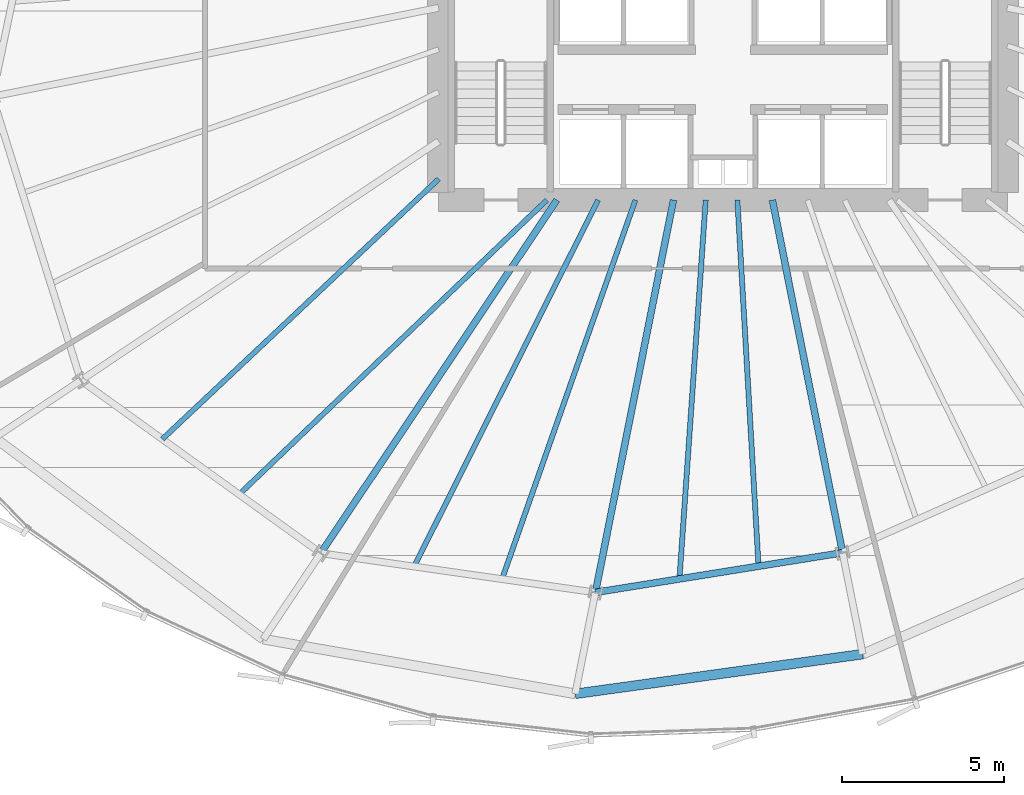
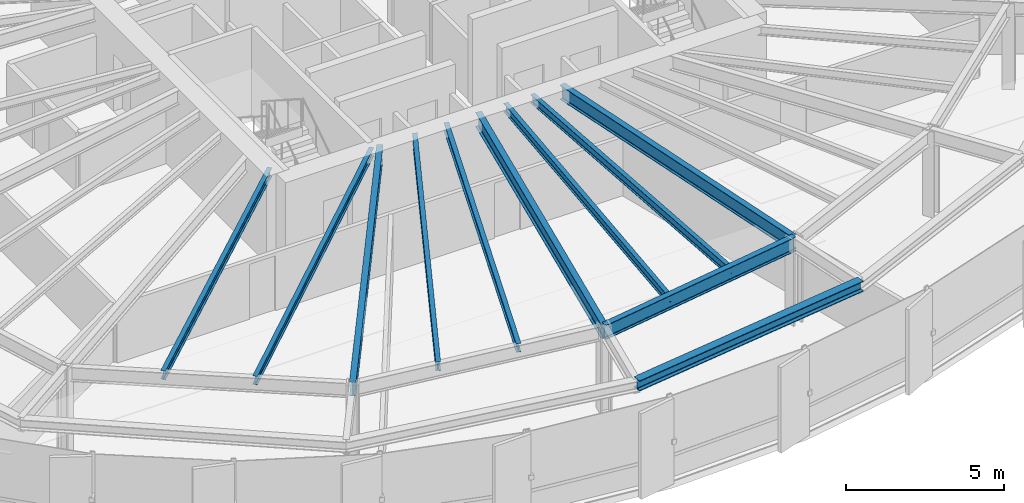
# One storey, part 6 of 35: 11 beams.
"""IFC4 building model written with IfcOpenShell, lengths in metres."""

from ifc_helpers import new_model, si_unit, direction, frame, origin, origin_2d, place, context, subcontext, project, spatial, i_section, extrude, source, transform, mapped, material, material_profile, profile_set, type_object, element, save


model = new_model("IFC4")

# Units and contexts
model_context = context("Model", 3, precision=1e-05, world=origin(), true_north=direction((0.0, 1.0)))
body_context = subcontext(model_context, "Body", "Model", "MODEL_VIEW")
ifc_project = project(units=[si_unit("LENGTHUNIT", "METRE"), si_unit("AREAUNIT", "SQUARE_METRE"), si_unit("VOLUMEUNIT", "CUBIC_METRE"), si_unit("PLANEANGLEUNIT", "RADIAN"), si_unit("MASSUNIT", "GRAM", prefix="KILO"), si_unit("THERMODYNAMICTEMPERATUREUNIT", "KELVIN")], contexts=[model_context])

# Site, building, storey
site_placement = place(None, origin())
site = spatial("IfcSite", under=ifc_project, at=site_placement, CompositionType="ELEMENT")
building_placement = place(site_placement, origin())
building = spatial("IfcBuilding", under=site, at=building_placement, Name="Kethvar Cultural Tower", CompositionType="ELEMENT")
storey_placement = place(building_placement, frame((0.0, 0.0, 92.800048828125)))
storey = spatial("IfcBuildingStorey", under=building, at=storey_placement, Name="L22", CompositionType="ELEMENT", Elevation=92.800048828125)

# Beams
ifc_material = material(Name="Steel S355J2", Category="steel")
ifc_material_profile_1 = material_profile(ifc_material, i_section(OverallWidth=0.2099609375, OverallDepth=0.550048828125, WebThickness=0.010986328125, FlangeThickness=0.01708984375, FilletRadius=0.02392578125, at=origin_2d()), Name="Steel S355J2 — IPE550")
ifc_profile_set_1 = profile_set([ifc_material_profile_1], Name="Steel S355J2 — IPE550")
beam_type_1 = type_object("IfcBeamType", Name="BM-IPE550", PredefinedType="BEAM", material=ifc_profile_set_1)
shared_shape_1 = source(origin(), body_context, "Body", "SweptSolid", [
    extrude(i_section(OverallWidth=0.2099609375, OverallDepth=0.550048828125, WebThickness=0.010986328125, FlangeThickness=0.01708984375, FilletRadius=0.02392578125, at=origin_2d()), origin(), (0.0, 0.0, 1.0), 13.147216796875),
])
beam_1_placement = place(storey_placement, frame((41.655029296875, 20.10009765625, 3.072998046875), z_axis=(-0.555565525446, -0.831472757783, 0.0), x_axis=(0.831472757783, -0.555565525446, 0.0)))
element("IfcBeam", 1, at=beam_1_placement, inside=storey, type_object=beam_type_1, Name="L22 Primary Radial Beam RB-11", PredefinedType="BEAM", context=body_context, shape_type="MappedRepresentation", body=[
    mapped(shared_shape_1, transform((0.0, 0.0, 0.0), scale=1.0)),
])
shared_shape_2 = source(origin(), body_context, "Body", "SweptSolid", [
    extrude(i_section(OverallWidth=0.2099609375, OverallDepth=0.550048828125, WebThickness=0.010986328125, FlangeThickness=0.01708984375, FilletRadius=0.02392578125, at=origin_2d()), origin(), (0.0, 0.0, 1.0), 12.384521484375),
])
beam_2_placement = place(storey_placement, frame((45.268310546875, 20.10009765625, 3.072998046875), z_axis=(-0.195084858678, -0.980786367113, 0.0), x_axis=(0.980786367113, -0.195084858678, 0.0)))
element("IfcBeam", 2, at=beam_2_placement, inside=storey, type_object=beam_type_1, Name="L22 Primary Radial Beam RB-12", PredefinedType="BEAM", context=body_context, shape_type="MappedRepresentation", body=[
    mapped(shared_shape_2, transform((0.0, 0.0, 0.0), scale=1.0)),
])
shared_shape_3 = source(origin(), body_context, "Body", "SweptSolid", [
    extrude(i_section(OverallWidth=0.2099609375, OverallDepth=0.550048828125, WebThickness=0.010986328125, FlangeThickness=0.01708984375, FilletRadius=0.02392578125, at=origin_2d()), origin(), (0.0, 0.0, 1.0), 11.131591796875),
])
beam_3_placement = place(storey_placement, frame((48.33154296875, 20.10009765625, 3.072998046875), z_axis=(0.195107998266, -0.980781764213, 0.0), x_axis=(0.980781764213, 0.195107998266, 0.0)))
element("IfcBeam", 3, at=beam_3_placement, inside=storey, type_object=beam_type_1, Name="L22 Primary Radial Beam RB-13", PredefinedType="BEAM", context=body_context, shape_type="MappedRepresentation", body=[
    mapped(shared_shape_3, transform((0.0, 0.0, 0.0), scale=1.0)),
])
ifc_material_profile_2 = material_profile(ifc_material, i_section(OverallWidth=0.159912109375, OverallDepth=0.330078125, WebThickness=0.007568359375, FlangeThickness=0.011474609375, FilletRadius=0.01806640625, at=origin_2d()), Name="Steel S355J2 — IPE330")
ifc_profile_set_2 = profile_set([ifc_material_profile_2], Name="Steel S355J2 — IPE330")
beam_type_2 = type_object("IfcBeamType", Name="BM-J330", PredefinedType="JOIST", material=ifc_profile_set_2)
shared_shape_4 = source(origin(), body_context, "Body", "SweptSolid", [
    extrude(i_section(OverallWidth=0.159912109375, OverallDepth=0.330078125, WebThickness=0.007568359375, FlangeThickness=0.011474609375, FilletRadius=0.01806640625, at=origin_2d()), origin(), (0.0, 0.0, 1.0), 11.74658203125),
])
beam_4_placement = place(storey_placement, frame((38.0, 20.75, 3.182861328125), z_axis=(-0.728129818661, -0.685439251266, 0.0), x_axis=(0.685439251266, -0.728129818661, 0.0)))
element("IfcBeam", 4, at=beam_4_placement, inside=storey, type_object=beam_type_2, Name="L22 Composite Floor Joist J-10A", PredefinedType="JOIST", context=body_context, shape_type="MappedRepresentation", body=[
    mapped(shared_shape_4, transform((0.0, 0.0, 0.0), scale=1.0)),
])
shared_shape_5 = source(origin(), body_context, "Body", "SweptSolid", [
    extrude(i_section(OverallWidth=0.159912109375, OverallDepth=0.330078125, WebThickness=0.007568359375, FlangeThickness=0.011474609375, FilletRadius=0.01806640625, at=origin_2d()), origin(), (0.0, 0.0, 1.0), 13.1826171875),
])
beam_5_placement = place(storey_placement, frame((41.35009765625, 20.10009765625, 3.182861328125), z_axis=(-0.722573880181, -0.691293705801, 0.0), x_axis=(0.691293705801, -0.722573880181, 0.0)))
element("IfcBeam", 5, at=beam_5_placement, inside=storey, type_object=beam_type_2, Name="L22 Composite Floor Joist J-10B", PredefinedType="JOIST", context=body_context, shape_type="MappedRepresentation", body=[
    mapped(shared_shape_5, transform((0.0, 0.0, 0.0), scale=1.0)),
])
shared_shape_6 = source(origin(), body_context, "Body", "SweptSolid", [
    extrude(i_section(OverallWidth=0.159912109375, OverallDepth=0.330078125, WebThickness=0.007568359375, FlangeThickness=0.011474609375, FilletRadius=0.01806640625, at=origin_2d()), origin(), (0.0, 0.0, 1.0), 12.693603515625),
])
beam_6_placement = place(storey_placement, frame((42.935302734375, 20.10009765625, 3.182861328125), z_axis=(-0.448582495233, -0.893741430712, 0.0), x_axis=(0.893741430712, -0.448582495233, 0.0)))
element("IfcBeam", 6, at=beam_6_placement, inside=storey, type_object=beam_type_2, Name="L22 Composite Floor Joist J-11A", PredefinedType="JOIST", context=body_context, shape_type="MappedRepresentation", body=[
    mapped(shared_shape_6, transform((0.0, 0.0, 0.0), scale=1.0)),
])
shared_shape_7 = source(origin(), body_context, "Body", "SweptSolid", [
    extrude(i_section(OverallWidth=0.159912109375, OverallDepth=0.330078125, WebThickness=0.007568359375, FlangeThickness=0.011474609375, FilletRadius=0.01806640625, at=origin_2d()), origin(), (0.0, 0.0, 1.0), 12.4384765625),
])
beam_7_placement = place(storey_placement, frame((44.090576171875, 20.10009765625, 3.182861328125), z_axis=(-0.331923676994, -0.943306245421, 0.0), x_axis=(0.943306245421, -0.331923676994, 0.0)))
element("IfcBeam", 7, at=beam_7_placement, inside=storey, type_object=beam_type_2, Name="L22 Composite Floor Joist J-11B", PredefinedType="JOIST", context=body_context, shape_type="MappedRepresentation", body=[
    mapped(shared_shape_7, transform((0.0, 0.0, 0.0), scale=1.0)),
])
shared_shape_8 = source(origin(), body_context, "Body", "SweptSolid", [
    extrude(i_section(OverallWidth=0.2099609375, OverallDepth=0.550048828125, WebThickness=0.010986328125, FlangeThickness=0.01708984375, FilletRadius=0.02392578125, at=origin_2d()), origin(), (0.0, 0.0, 1.0), 7.749267578125),
])
beam_8_placement = place(storey_placement, frame((42.852294921875, 7.95361328125, 3.072998046875), z_axis=(0.987348257569, 0.158566762831, 0.0), x_axis=(-0.158566762831, 0.987348257569, 0.0)))
element("IfcBeam", 8, at=beam_8_placement, inside=storey, type_object=beam_type_1, Name="L22 Column Ring Tie Beam CR-12", PredefinedType="BEAM", context=body_context, shape_type="MappedRepresentation", body=[
    mapped(shared_shape_8, transform((0.0, 0.0, 0.0), scale=1.0)),
])
ifc_material_profile_3 = material_profile(ifc_material, i_section(OverallWidth=0.300048828125, OverallDepth=0.39990234375, WebThickness=0.013427734375, FlangeThickness=0.02392578125, FilletRadius=0.027099609375, at=origin_2d()), Name="Steel S355J2 — HEB400")
ifc_profile_set_3 = profile_set([ifc_material_profile_3], Name="Steel S355J2 — HEB400")
beam_type_3 = type_object("IfcBeamType", Name="BM-SP400", PredefinedType="SPANDREL", material=ifc_profile_set_3)
shared_shape_9 = source(origin(), body_context, "Body", "SweptSolid", [
    extrude(i_section(OverallWidth=0.300048828125, OverallDepth=0.39990234375, WebThickness=0.013427734375, FlangeThickness=0.02392578125, FilletRadius=0.027099609375, at=origin_2d()), origin(), (0.0, 0.0, 1.0), 8.984130859375),
])
beam_9_placement = place(storey_placement, frame((42.22802734375, 4.81494140625, 3.14794921875), z_axis=(0.990602728928, 0.136770733127, 0.0), x_axis=(-0.136770733127, 0.990602728928, 0.0)))
element("IfcBeam", 9, at=beam_9_placement, inside=storey, type_object=beam_type_3, Name="L22 Perimeter Spandrel Beam SP-12", PredefinedType="SPANDREL", context=body_context, shape_type="MappedRepresentation", body=[
    mapped(shared_shape_9, transform((0.0, 0.0, 0.0), scale=1.0)),
])
shared_shape_10 = source(origin(), body_context, "Body", "SweptSolid", [
    extrude(i_section(OverallWidth=0.159912109375, OverallDepth=0.330078125, WebThickness=0.007568359375, FlangeThickness=0.011474609375, FilletRadius=0.01806640625, at=origin_2d()), origin(), (0.0, 0.0, 1.0), 11.7568359375),
])
beam_10_placement = place(storey_placement, frame((46.266357421875, 20.10009765625, 3.182861328125), z_axis=(-0.069129203877, -0.997607715072, 0.0), x_axis=(0.997607715072, -0.069129203877, 0.0)))
element("IfcBeam", 10, at=beam_10_placement, inside=storey, type_object=beam_type_2, Name="L22 Composite Floor Joist J-12A", PredefinedType="JOIST", context=body_context, shape_type="MappedRepresentation", body=[
    mapped(shared_shape_10, transform((0.0, 0.0, 0.0), scale=1.0)),
])
shared_shape_11 = source(origin(), body_context, "Body", "SweptSolid", [
    extrude(i_section(OverallWidth=0.159912109375, OverallDepth=0.330078125, WebThickness=0.007568359375, FlangeThickness=0.011474609375, FilletRadius=0.01806640625, at=origin_2d()), origin(), (0.0, 0.0, 1.0), 11.354736328125),
])
beam_11_placement = place(storey_placement, frame((47.245849609375, 20.10009765625, 3.182861328125), z_axis=(0.057795585741, -0.998328438075, 0.0), x_axis=(0.998328438075, 0.057795585741, 0.0)))
element("IfcBeam", 11, at=beam_11_placement, inside=storey, type_object=beam_type_2, Name="L22 Composite Floor Joist J-12B", PredefinedType="JOIST", context=body_context, shape_type="MappedRepresentation", body=[
    mapped(shared_shape_11, transform((0.0, 0.0, 0.0), scale=1.0)),
])

save(model, "model.ifc")
